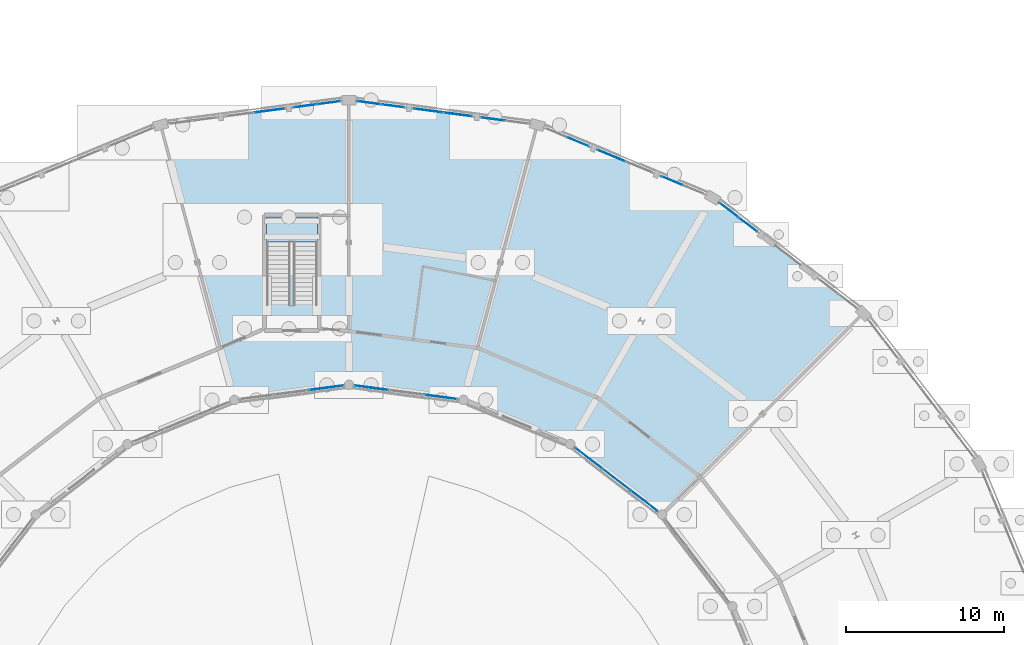
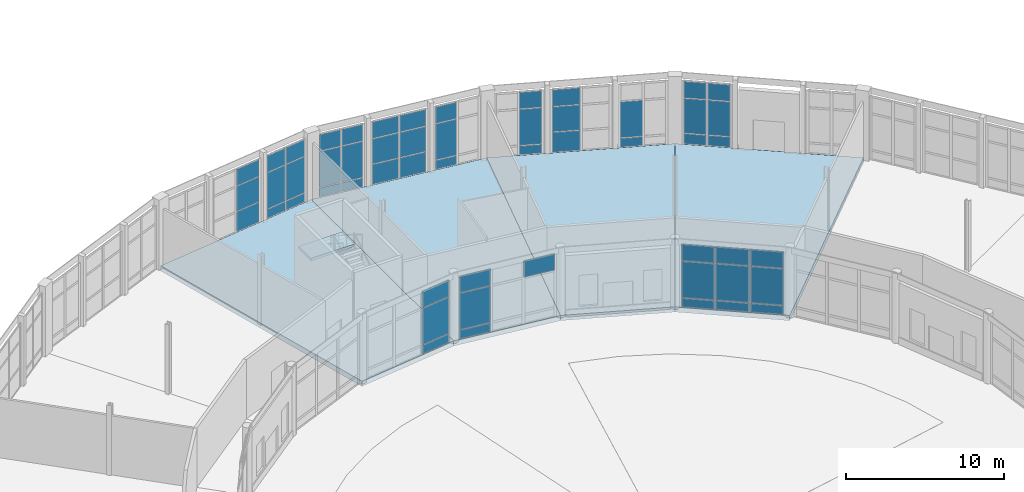
# One storey, part 91 of 137: 54 plates, 5 slabs, 13 elements without a shape of their own.
"""IFC4 building model written with IfcOpenShell, lengths in metres."""

from ifc_helpers import new_model, si_unit, direction, frame, origin, origin_2d, place, context, subcontext, project, spatial, polyline, rectangle, outline, extrude, material, layer, layer_set, type_object, element, aggregate, save


model = new_model("IFC4")

# Units and contexts
model_context = context("Model", 3, precision=1e-05, world=origin(), true_north=direction((0.0, 1.0)))
body_context = subcontext(model_context, "Body", "Model", "MODEL_VIEW")
ifc_project = project(units=[si_unit("LENGTHUNIT", "METRE"), si_unit("AREAUNIT", "SQUARE_METRE"), si_unit("VOLUMEUNIT", "CUBIC_METRE"), si_unit("PLANEANGLEUNIT", "RADIAN"), si_unit("MASSUNIT", "GRAM", prefix="KILO")], contexts=[model_context])

# Site, building, storey
site_placement = place(None, origin())
site = spatial("IfcSite", under=ifc_project, at=site_placement, CompositionType="ELEMENT")
building_placement = place(site_placement, origin())
building = spatial("IfcBuilding", under=site, at=building_placement, Name="Vondelvale Polytechnic", CompositionType="ELEMENT")
storey_placement = place(building_placement, origin())
storey = spatial("IfcBuildingStorey", under=building, at=storey_placement, Name="L00", CompositionType="ELEMENT", Elevation=0.0)

# Curtain wall, plates
ifc_material_1 = material(Name="Anodised extruded aluminium 6063-T6", Category="aluminium")
curtain_wall_type_1 = type_object("IfcCurtainWallType", Name="CW-RING-CLOISTER", PredefinedType="NOTDEFINED", material=ifc_material_1)
curtain_wall_1_placement = place(storey_placement, origin())
curtain_wall_1 = element("IfcCurtainWall", 1, at=curtain_wall_1_placement, inside=storey, type_object=curtain_wall_type_1, Name="L00 architectural curtain wall CW-03-097", PredefinedType="NOTDEFINED")
ifc_material_2 = material(Name="Double-glazed low-E insulated architectural glass", Category="glass")
ifc_layer_1 = layer(ifc_material_2, 0.028076171875)
ifc_layer_set_1 = layer_set([ifc_layer_1], Name="CW-PANEL-GLAZED")
plate_type_1 = type_object("IfcPlateType", Name="CW-PANEL-GLAZED", PredefinedType="CURTAIN_PANEL", material=ifc_layer_set_1)
plate_1_placement = place(storey_placement, frame((120.644775390625, 92.6845703125, 0.78271484375), z_axis=(0.0, 0.0, 1.0), x_axis=(-0.793363861089, 0.608747717793, 0.0)))
plate_1 = element("IfcPlate", 2, at=plate_1_placement, type_object=plate_type_1, Name="CW-03-097 panel 1.2", PredefinedType="CURTAIN_PANEL", context=body_context, shape_type="SweptSolid", body=[
    extrude(rectangle(XDim=2.1123046875, YDim=0.028076171875, at=origin_2d()), origin(), (0.0, 0.0, 1.0), 2.784912109375),
])
plate_2_placement = place(storey_placement, frame((120.644775390625, 92.6845703125, 3.632568359375), z_axis=(0.0, 0.0, 1.0), x_axis=(-0.793363861089, 0.608747717793, 0.0)))
plate_2 = element("IfcPlate", 3, at=plate_2_placement, type_object=plate_type_1, Name="CW-03-097 panel 1.3", PredefinedType="CURTAIN_PANEL", context=body_context, shape_type="SweptSolid", body=[
    extrude(rectangle(XDim=2.1123046875, YDim=0.028076171875, at=origin_2d()), origin(), (0.0, 0.0, 1.0), 1.25244140625),
])
plate_3_placement = place(storey_placement, frame((118.8994140625, 94.02392578125, 0.78271484375), z_axis=(0.0, 0.0, 1.0), x_axis=(-0.793363861089, 0.608747717793, 0.0)))
plate_3 = element("IfcPlate", 4, at=plate_3_placement, type_object=plate_type_1, Name="CW-03-097 panel 2.2", PredefinedType="CURTAIN_PANEL", context=body_context, shape_type="SweptSolid", body=[
    extrude(rectangle(XDim=2.1474609375, YDim=0.028076171875, at=origin_2d()), origin(), (0.0, 0.0, 1.0), 2.784912109375),
])
plate_4_placement = place(storey_placement, frame((118.8994140625, 94.02392578125, 3.632568359375), z_axis=(0.0, 0.0, 1.0), x_axis=(-0.793363861089, 0.608747717793, 0.0)))
plate_4 = element("IfcPlate", 5, at=plate_4_placement, type_object=plate_type_1, Name="CW-03-097 panel 2.3", PredefinedType="CURTAIN_PANEL", context=body_context, shape_type="SweptSolid", body=[
    extrude(rectangle(XDim=2.1474609375, YDim=0.028076171875, at=origin_2d()), origin(), (0.0, 0.0, 1.0), 1.25244140625),
])
plate_5_placement = place(storey_placement, frame((117.154296875, 95.363037109375, 0.78271484375), z_axis=(0.0, 0.0, 1.0), x_axis=(-0.793363861089, 0.608747717793, 0.0)))
plate_5 = element("IfcPlate", 6, at=plate_5_placement, type_object=plate_type_1, Name="CW-03-097 panel 3.2", PredefinedType="CURTAIN_PANEL", context=body_context, shape_type="SweptSolid", body=[
    extrude(rectangle(XDim=2.1123046875, YDim=0.028076171875, at=origin_2d()), origin(), (0.0, 0.0, 1.0), 2.784912109375),
])
plate_6_placement = place(storey_placement, frame((117.154296875, 95.363037109375, 3.632568359375), z_axis=(0.0, 0.0, 1.0), x_axis=(-0.793363861089, 0.608747717793, 0.0)))
plate_6 = element("IfcPlate", 7, at=plate_6_placement, type_object=plate_type_1, Name="CW-03-097 panel 3.3", PredefinedType="CURTAIN_PANEL", context=body_context, shape_type="SweptSolid", body=[
    extrude(rectangle(XDim=2.1123046875, YDim=0.028076171875, at=origin_2d()), origin(), (0.0, 0.0, 1.0), 1.25244140625),
])

ifc_material_3 = material(Name="Glulam GL18 structural Tasmanian oak (fb = 42 MPa)", Category="wood")
curtain_wall_type_2 = type_object("IfcCurtainWallType", Name="CW-RING-OUTER", PredefinedType="NOTDEFINED", material=ifc_material_3)
curtain_wall_2_placement = place(storey_placement, origin())
curtain_wall_2 = element("IfcCurtainWall", 8, at=curtain_wall_2_placement, inside=storey, type_object=curtain_wall_type_2, Name="L00 architectural curtain wall CW-04-099", PredefinedType="NOTDEFINED")
plate_7_placement = place(storey_placement, frame((127.2177734375, 110.13525390625, 0.8798828125), z_axis=(0.0, 0.0, 1.0), x_axis=(-0.793351666305, 0.608763610584, 0.0)))
plate_7 = element("IfcPlate", 9, at=plate_7_placement, type_object=plate_type_1, Name="CW-04-099 panel 1.2", PredefinedType="CURTAIN_PANEL", context=body_context, shape_type="SweptSolid", body=[
    extrude(rectangle(XDim=1.454345703125, YDim=0.028076171875, at=origin_2d()), origin(), (0.0, 0.0, 1.0), 2.659912109375),
])
plate_8_placement = place(storey_placement, frame((127.2177734375, 110.13525390625, 3.60009765625), z_axis=(0.0, 0.0, 1.0), x_axis=(-0.793351666305, 0.608763610584, 0.0)))
plate_8 = element("IfcPlate", 10, at=plate_8_placement, type_object=plate_type_1, Name="CW-04-099 panel 1.3", PredefinedType="CURTAIN_PANEL", context=body_context, shape_type="SweptSolid", body=[
    extrude(rectangle(XDim=1.454345703125, YDim=0.028076171875, at=origin_2d()), origin(), (0.0, 0.0, 1.0), 1.260009765625),
])
plate_9_placement = place(storey_placement, frame((126.012451171875, 111.060302734375, 0.8798828125), z_axis=(0.0, 0.0, 1.0), x_axis=(-0.793351666305, 0.608763610584, 0.0)))
plate_9 = element("IfcPlate", 11, at=plate_9_placement, type_object=plate_type_1, Name="CW-04-099 panel 2.2", PredefinedType="CURTAIN_PANEL", context=body_context, shape_type="SweptSolid", body=[
    extrude(rectangle(XDim=1.454345703125, YDim=0.028076171875, at=origin_2d()), origin(), (0.0, 0.0, 1.0), 2.659912109375),
])
plate_10_placement = place(storey_placement, frame((126.012451171875, 111.060302734375, 3.60009765625), z_axis=(0.0, 0.0, 1.0), x_axis=(-0.793351666305, 0.608763610584, 0.0)))
plate_10 = element("IfcPlate", 12, at=plate_10_placement, type_object=plate_type_1, Name="CW-04-099 panel 2.3", PredefinedType="CURTAIN_PANEL", context=body_context, shape_type="SweptSolid", body=[
    extrude(rectangle(XDim=1.454345703125, YDim=0.028076171875, at=origin_2d()), origin(), (0.0, 0.0, 1.0), 1.260009765625),
])

# Curtain wall, plate
curtain_wall_3_placement = place(storey_placement, origin())
curtain_wall_3 = element("IfcCurtainWall", 13, at=curtain_wall_3_placement, inside=storey, type_object=curtain_wall_type_2, Name="L00 architectural curtain wall CW-04-112", PredefinedType="NOTDEFINED")
plate_11_placement = place(storey_placement, frame((122.417236328125, 112.906982421875, 0.77978515625), z_axis=(0.0, 0.0, 1.0), x_axis=(-0.92388135159, 0.382679040691, 0.0)))
plate_11 = element("IfcPlate", 14, at=plate_11_placement, type_object=plate_type_1, Name="CW-04-112 panel 2.2", PredefinedType="CURTAIN_PANEL", context=body_context, shape_type="SweptSolid", body=[
    extrude(rectangle(XDim=1.454345703125, YDim=0.028076171875, at=origin_2d()), origin(), (0.0, 0.0, 1.0), 2.760009765625),
])

# Curtain wall, plates
curtain_wall_4_placement = place(storey_placement, origin())
curtain_wall_4 = element("IfcCurtainWall", 15, at=curtain_wall_4_placement, inside=storey, type_object=curtain_wall_type_2, Name="L00 architectural curtain wall CW-04-114", PredefinedType="NOTDEFINED")
plate_12_placement = place(storey_placement, frame((116.488525390625, 115.36279296875, 0.77978515625), z_axis=(0.0, 0.0, 1.0), x_axis=(-0.92388135159, 0.382679040691, 0.0)))
plate_12 = element("IfcPlate", 16, at=plate_12_placement, type_object=plate_type_1, Name="CW-04-114 panel 1.2", PredefinedType="CURTAIN_PANEL", context=body_context, shape_type="SweptSolid", body=[
    extrude(rectangle(XDim=1.454345703125, YDim=0.028076171875, at=origin_2d()), origin(), (0.0, 0.0, 1.0), 2.760009765625),
])
plate_13_placement = place(storey_placement, frame((116.488525390625, 115.36279296875, 3.60009765625), z_axis=(0.0, 0.0, 1.0), x_axis=(-0.92388135159, 0.382679040691, 0.0)))
plate_13 = element("IfcPlate", 17, at=plate_13_placement, type_object=plate_type_1, Name="CW-04-114 panel 1.3", PredefinedType="CURTAIN_PANEL", context=body_context, shape_type="SweptSolid", body=[
    extrude(rectangle(XDim=1.454345703125, YDim=0.028076171875, at=origin_2d()), origin(), (0.0, 0.0, 1.0), 1.260009765625),
])

curtain_wall_5_placement = place(storey_placement, origin())
curtain_wall_5 = element("IfcCurtainWall", 18, at=curtain_wall_5_placement, inside=storey, type_object=curtain_wall_type_1, Name="L00 architectural curtain wall CW-03-131", PredefinedType="NOTDEFINED")
plate_14_placement = place(storey_placement, frame((107.804443359375, 99.23583984375, 3.632568359375), z_axis=(0.0, 0.0, 1.0), x_axis=(-0.99144462243, 0.130528007165, 0.0)))
plate_14 = element("IfcPlate", 19, at=plate_14_placement, type_object=plate_type_1, Name="CW-03-131 panel 1.3", PredefinedType="CURTAIN_PANEL", context=body_context, shape_type="SweptSolid", body=[
    extrude(rectangle(XDim=2.1123046875, YDim=0.028076171875, at=origin_2d()), origin(), (0.0, 0.0, 1.0), 1.25244140625),
])
plate_15_placement = place(storey_placement, frame((103.4423828125, 99.81005859375, 0.78271484375), z_axis=(0.0, 0.0, 1.0), x_axis=(-0.99144462243, 0.130528007165, 0.0)))
plate_15 = element("IfcPlate", 20, at=plate_15_placement, type_object=plate_type_1, Name="CW-03-131 panel 3.2", PredefinedType="CURTAIN_PANEL", context=body_context, shape_type="SweptSolid", body=[
    extrude(rectangle(XDim=2.1123046875, YDim=0.028076171875, at=origin_2d()), origin(), (0.0, 0.0, 1.0), 2.784912109375),
])
plate_16_placement = place(storey_placement, frame((103.4423828125, 99.81005859375, 3.632568359375), z_axis=(0.0, 0.0, 1.0), x_axis=(-0.99144462243, 0.130528007165, 0.0)))
plate_16 = element("IfcPlate", 21, at=plate_16_placement, type_object=plate_type_1, Name="CW-03-131 panel 3.3", PredefinedType="CURTAIN_PANEL", context=body_context, shape_type="SweptSolid", body=[
    extrude(rectangle(XDim=2.1123046875, YDim=0.028076171875, at=origin_2d()), origin(), (0.0, 0.0, 1.0), 1.25244140625),
])

curtain_wall_6_placement = place(storey_placement, origin())
curtain_wall_6 = element("IfcCurtainWall", 22, at=curtain_wall_6_placement, inside=storey, type_object=curtain_wall_type_2, Name="L00 architectural curtain wall CW-04-132", PredefinedType="NOTDEFINED")
plate_17_placement = place(storey_placement, frame((111.134033203125, 116.797607421875, 0.77978515625), z_axis=(0.0, 0.0, 1.0), x_axis=(-0.991445190781, 0.130523690099, 0.0)))
plate_17 = element("IfcPlate", 23, at=plate_17_placement, type_object=plate_type_1, Name="CW-04-132 panel 2.2", PredefinedType="CURTAIN_PANEL", context=body_context, shape_type="SweptSolid", body=[
    extrude(rectangle(XDim=1.454345703125, YDim=0.028076171875, at=origin_2d()), origin(), (0.0, 0.0, 1.0), 2.760009765625),
])
plate_18_placement = place(storey_placement, frame((111.134033203125, 116.797607421875, 3.60009765625), z_axis=(0.0, 0.0, 1.0), x_axis=(-0.991445190781, 0.130523690099, 0.0)))
plate_18 = element("IfcPlate", 24, at=plate_18_placement, type_object=plate_type_1, Name="CW-04-132 panel 2.3", PredefinedType="CURTAIN_PANEL", context=body_context, shape_type="SweptSolid", body=[
    extrude(rectangle(XDim=1.454345703125, YDim=0.028076171875, at=origin_2d()), origin(), (0.0, 0.0, 1.0), 1.260009765625),
])

curtain_wall_7_placement = place(storey_placement, origin())
curtain_wall_7 = element("IfcCurtainWall", 25, at=curtain_wall_7_placement, inside=storey, type_object=curtain_wall_type_2, Name="L00 architectural curtain wall CW-04-133", PredefinedType="NOTDEFINED")
plate_19_placement = place(storey_placement, frame((108.8818359375, 117.093994140625, 1.6298828125), z_axis=(0.0, 0.0, 1.0), x_axis=(-0.991448671082, 0.130497251349, 0.0)))
plate_19 = element("IfcPlate", 26, at=plate_19_placement, type_object=plate_type_1, Name="CW-04-133 panel 1.2", PredefinedType="CURTAIN_PANEL", context=body_context, shape_type="SweptSolid", body=[
    extrude(rectangle(XDim=1.80908203125, YDim=0.028076171875, at=origin_2d()), origin(), (0.0, 0.0, 1.0), 1.909912109375),
])
plate_20_placement = place(storey_placement, frame((108.8818359375, 117.093994140625, 3.60009765625), z_axis=(0.0, 0.0, 1.0), x_axis=(-0.991448671082, 0.130497251349, 0.0)))
plate_20 = element("IfcPlate", 27, at=plate_20_placement, type_object=plate_type_1, Name="CW-04-133 panel 1.3", PredefinedType="CURTAIN_PANEL", context=body_context, shape_type="SweptSolid", body=[
    extrude(rectangle(XDim=1.80908203125, YDim=0.028076171875, at=origin_2d()), origin(), (0.0, 0.0, 1.0), 1.260009765625),
])
plate_21_placement = place(storey_placement, frame((107.02392578125, 117.338623046875, 1.6298828125), z_axis=(0.0, 0.0, 1.0), x_axis=(-0.991448671082, 0.130497251349, 0.0)))
plate_21 = element("IfcPlate", 28, at=plate_21_placement, type_object=plate_type_1, Name="CW-04-133 panel 2.2", PredefinedType="CURTAIN_PANEL", context=body_context, shape_type="SweptSolid", body=[
    extrude(rectangle(XDim=1.80908203125, YDim=0.028076171875, at=origin_2d()), origin(), (0.0, 0.0, 1.0), 1.909912109375),
])
plate_22_placement = place(storey_placement, frame((107.02392578125, 117.338623046875, 3.60009765625), z_axis=(0.0, 0.0, 1.0), x_axis=(-0.991448671082, 0.130497251349, 0.0)))
plate_22 = element("IfcPlate", 29, at=plate_22_placement, type_object=plate_type_1, Name="CW-04-133 panel 2.3", PredefinedType="CURTAIN_PANEL", context=body_context, shape_type="SweptSolid", body=[
    extrude(rectangle(XDim=1.80908203125, YDim=0.028076171875, at=origin_2d()), origin(), (0.0, 0.0, 1.0), 1.260009765625),
])

curtain_wall_8_placement = place(storey_placement, origin())
curtain_wall_8 = element("IfcCurtainWall", 30, at=curtain_wall_8_placement, inside=storey, type_object=curtain_wall_type_2, Name="L00 architectural curtain wall CW-04-134", PredefinedType="NOTDEFINED")
plate_23_placement = place(storey_placement, frame((104.771728515625, 117.635009765625, 0.77978515625), z_axis=(0.0, 0.0, 1.0), x_axis=(-0.991445190781, 0.130523690099, 0.0)))
plate_23 = element("IfcPlate", 31, at=plate_23_placement, type_object=plate_type_1, Name="CW-04-134 panel 1.2", PredefinedType="CURTAIN_PANEL", context=body_context, shape_type="SweptSolid", body=[
    extrude(rectangle(XDim=1.454345703125, YDim=0.028076171875, at=origin_2d()), origin(), (0.0, 0.0, 1.0), 2.760009765625),
])
plate_24_placement = place(storey_placement, frame((104.771728515625, 117.635009765625, 3.60009765625), z_axis=(0.0, 0.0, 1.0), x_axis=(-0.991445190781, 0.130523690099, 0.0)))
plate_24 = element("IfcPlate", 32, at=plate_24_placement, type_object=plate_type_1, Name="CW-04-134 panel 1.3", PredefinedType="CURTAIN_PANEL", context=body_context, shape_type="SweptSolid", body=[
    extrude(rectangle(XDim=1.454345703125, YDim=0.028076171875, at=origin_2d()), origin(), (0.0, 0.0, 1.0), 1.260009765625),
])
plate_25_placement = place(storey_placement, frame((103.265380859375, 117.83349609375, 0.77978515625), z_axis=(0.0, 0.0, 1.0), x_axis=(-0.991445190781, 0.130523690099, 0.0)))
plate_25 = element("IfcPlate", 33, at=plate_25_placement, type_object=plate_type_1, Name="CW-04-134 panel 2.2", PredefinedType="CURTAIN_PANEL", context=body_context, shape_type="SweptSolid", body=[
    extrude(rectangle(XDim=1.454345703125, YDim=0.028076171875, at=origin_2d()), origin(), (0.0, 0.0, 1.0), 2.760009765625),
])
plate_26_placement = place(storey_placement, frame((103.265380859375, 117.83349609375, 3.60009765625), z_axis=(0.0, 0.0, 1.0), x_axis=(-0.991445190781, 0.130523690099, 0.0)))
plate_26 = element("IfcPlate", 34, at=plate_26_placement, type_object=plate_type_1, Name="CW-04-134 panel 2.3", PredefinedType="CURTAIN_PANEL", context=body_context, shape_type="SweptSolid", body=[
    extrude(rectangle(XDim=1.454345703125, YDim=0.028076171875, at=origin_2d()), origin(), (0.0, 0.0, 1.0), 1.260009765625),
])

curtain_wall_9_placement = place(storey_placement, origin())
curtain_wall_9 = element("IfcCurtainWall", 35, at=curtain_wall_9_placement, inside=storey, type_object=curtain_wall_type_1, Name="L00 architectural curtain wall CW-03-151", PredefinedType="NOTDEFINED")
plate_27_placement = place(storey_placement, frame((100.5576171875, 99.81005859375, 0.78271484375), z_axis=(0.0, 0.0, 1.0), x_axis=(-0.99144462243, -0.130528007165, 0.0)))
plate_27 = element("IfcPlate", 36, at=plate_27_placement, type_object=plate_type_1, Name="CW-03-151 panel 1.2", PredefinedType="CURTAIN_PANEL", context=body_context, shape_type="SweptSolid", body=[
    extrude(rectangle(XDim=2.1123046875, YDim=0.028076171875, at=origin_2d()), origin(), (0.0, 0.0, 1.0), 2.784912109375),
])
plate_28_placement = place(storey_placement, frame((100.5576171875, 99.81005859375, 3.632568359375), z_axis=(0.0, 0.0, 1.0), x_axis=(-0.99144462243, -0.130528007165, 0.0)))
plate_28 = element("IfcPlate", 37, at=plate_28_placement, type_object=plate_type_1, Name="CW-03-151 panel 1.3", PredefinedType="CURTAIN_PANEL", context=body_context, shape_type="SweptSolid", body=[
    extrude(rectangle(XDim=2.1123046875, YDim=0.028076171875, at=origin_2d()), origin(), (0.0, 0.0, 1.0), 1.25244140625),
])

curtain_wall_10_placement = place(storey_placement, origin())
curtain_wall_10 = element("IfcCurtainWall", 38, at=curtain_wall_10_placement, inside=storey, type_object=curtain_wall_type_2, Name="L00 architectural curtain wall CW-04-152", PredefinedType="NOTDEFINED")
plate_29_placement = place(storey_placement, frame((100.734619140625, 117.83349609375, 0.77978515625), z_axis=(0.0, 0.0, 1.0), x_axis=(-0.991445190781, -0.130523690099, 0.0)))
plate_29 = element("IfcPlate", 39, at=plate_29_placement, type_object=plate_type_1, Name="CW-04-152 panel 1.2", PredefinedType="CURTAIN_PANEL", context=body_context, shape_type="SweptSolid", body=[
    extrude(rectangle(XDim=1.454345703125, YDim=0.028076171875, at=origin_2d()), origin(), (0.0, 0.0, 1.0), 2.760009765625),
])
plate_30_placement = place(storey_placement, frame((100.734619140625, 117.83349609375, 3.60009765625), z_axis=(0.0, 0.0, 1.0), x_axis=(-0.991445190781, -0.130523690099, 0.0)))
plate_30 = element("IfcPlate", 40, at=plate_30_placement, type_object=plate_type_1, Name="CW-04-152 panel 1.3", PredefinedType="CURTAIN_PANEL", context=body_context, shape_type="SweptSolid", body=[
    extrude(rectangle(XDim=1.454345703125, YDim=0.028076171875, at=origin_2d()), origin(), (0.0, 0.0, 1.0), 1.260009765625),
])
plate_31_placement = place(storey_placement, frame((99.228271484375, 117.635009765625, 0.77978515625), z_axis=(0.0, 0.0, 1.0), x_axis=(-0.991445190781, -0.130523690099, 0.0)))
plate_31 = element("IfcPlate", 41, at=plate_31_placement, type_object=plate_type_1, Name="CW-04-152 panel 2.2", PredefinedType="CURTAIN_PANEL", context=body_context, shape_type="SweptSolid", body=[
    extrude(rectangle(XDim=1.454345703125, YDim=0.028076171875, at=origin_2d()), origin(), (0.0, 0.0, 1.0), 2.760009765625),
])
plate_32_placement = place(storey_placement, frame((99.228271484375, 117.635009765625, 3.60009765625), z_axis=(0.0, 0.0, 1.0), x_axis=(-0.991445190781, -0.130523690099, 0.0)))
plate_32 = element("IfcPlate", 42, at=plate_32_placement, type_object=plate_type_1, Name="CW-04-152 panel 2.3", PredefinedType="CURTAIN_PANEL", context=body_context, shape_type="SweptSolid", body=[
    extrude(rectangle(XDim=1.454345703125, YDim=0.028076171875, at=origin_2d()), origin(), (0.0, 0.0, 1.0), 1.260009765625),
])

# Plate
ifc_material_4 = material(Name="Engineered Tasmanian oak studio and bridge joinery")
ifc_layer_2 = layer(ifc_material_4, 0.0419921875)
ifc_layer_set_2 = layer_set([ifc_layer_2], Name="CW-PANEL-OAK")
plate_type_2 = type_object("IfcPlateType", Name="CW-PANEL-OAK", PredefinedType="CURTAIN_PANEL", material=ifc_layer_set_2)
plate_33_placement = place(storey_placement, frame((120.644775390625, 92.6845703125, 0.06494140625), z_axis=(0.0, 0.0, 1.0), x_axis=(-0.793363861089, 0.608747717793, 0.0)))
plate_33 = element("IfcPlate", 43, at=plate_33_placement, type_object=plate_type_2, Name="CW-03-097 panel 1.1", PredefinedType="CURTAIN_PANEL", context=body_context, shape_type="SweptSolid", body=[
    extrude(rectangle(XDim=2.1123046875, YDim=0.0419921875, at=origin_2d()), origin(), (0.0, 0.0, 1.0), 0.652587890625),
])

plate_34_placement = place(storey_placement, frame((118.8994140625, 94.02392578125, 0.06494140625), z_axis=(0.0, 0.0, 1.0), x_axis=(-0.793363861089, 0.608747717793, 0.0)))
plate_34 = element("IfcPlate", 44, at=plate_34_placement, type_object=plate_type_2, Name="CW-03-097 panel 2.1", PredefinedType="CURTAIN_PANEL", context=body_context, shape_type="SweptSolid", body=[
    extrude(rectangle(XDim=2.1474609375, YDim=0.0419921875, at=origin_2d()), origin(), (0.0, 0.0, 1.0), 0.652587890625),
])

plate_35_placement = place(storey_placement, frame((117.154296875, 95.363037109375, 0.06494140625), z_axis=(0.0, 0.0, 1.0), x_axis=(-0.793363861089, 0.608747717793, 0.0)))
plate_35 = element("IfcPlate", 45, at=plate_35_placement, type_object=plate_type_2, Name="CW-03-097 panel 3.1", PredefinedType="CURTAIN_PANEL", context=body_context, shape_type="SweptSolid", body=[
    extrude(rectangle(XDim=2.1123046875, YDim=0.0419921875, at=origin_2d()), origin(), (0.0, 0.0, 1.0), 0.652587890625),
])

aggregate(curtain_wall_1, [plate_33, plate_1, plate_2, plate_34, plate_3, plate_4, plate_35, plate_5, plate_6])

plate_36_placement = place(storey_placement, frame((127.2177734375, 110.13525390625, 0.06005859375), z_axis=(0.0, 0.0, 1.0), x_axis=(-0.793351666305, 0.608763610584, 0.0)))
plate_36 = element("IfcPlate", 46, at=plate_36_placement, type_object=plate_type_2, Name="CW-04-099 panel 1.1", PredefinedType="CURTAIN_PANEL", context=body_context, shape_type="SweptSolid", body=[
    extrude(rectangle(XDim=1.454345703125, YDim=0.0419921875, at=origin_2d()), origin(), (0.0, 0.0, 1.0), 0.760009765625),
])

plate_37_placement = place(storey_placement, frame((126.012451171875, 111.060302734375, 0.06005859375), z_axis=(0.0, 0.0, 1.0), x_axis=(-0.793351666305, 0.608763610584, 0.0)))
plate_37 = element("IfcPlate", 47, at=plate_37_placement, type_object=plate_type_2, Name="CW-04-099 panel 2.1", PredefinedType="CURTAIN_PANEL", context=body_context, shape_type="SweptSolid", body=[
    extrude(rectangle(XDim=1.454345703125, YDim=0.0419921875, at=origin_2d()), origin(), (0.0, 0.0, 1.0), 0.760009765625),
])

aggregate(curtain_wall_2, [plate_36, plate_7, plate_8, plate_37, plate_9, plate_10])

# Curtain wall, plates
curtain_wall_11_placement = place(storey_placement, origin())
curtain_wall_11 = element("IfcCurtainWall", 48, at=curtain_wall_11_placement, inside=storey, type_object=curtain_wall_type_2, Name="L00 architectural curtain wall CW-04-113", PredefinedType="NOTDEFINED")
plate_38_placement = place(storey_placement, frame((118.587158203125, 114.493408203125, 0.06005859375), z_axis=(0.0, 0.0, 1.0), x_axis=(-0.92387490701, 0.382694599123, 0.0)))
plate_38 = element("IfcPlate", 49, at=plate_38_placement, type_object=plate_type_2, Name="CW-04-113 panel 2.1", PredefinedType="CURTAIN_PANEL", context=body_context, shape_type="SweptSolid", body=[
    extrude(rectangle(XDim=1.80908203125, YDim=0.0419921875, at=origin_2d()), origin(), (0.0, 0.0, 1.0), 1.510009765625),
])
plate_39_placement = place(storey_placement, frame((118.587158203125, 114.493408203125, 1.6298828125), z_axis=(0.0, 0.0, 1.0), x_axis=(-0.92387490701, 0.382694599123, 0.0)))
plate_39 = element("IfcPlate", 50, at=plate_39_placement, type_object=plate_type_2, Name="CW-04-113 panel 2.2", PredefinedType="CURTAIN_PANEL", context=body_context, shape_type="SweptSolid", body=[
    extrude(rectangle(XDim=1.80908203125, YDim=0.0419921875, at=origin_2d()), origin(), (0.0, 0.0, 1.0), 1.909912109375),
])
plate_40_placement = place(storey_placement, frame((118.587158203125, 114.493408203125, 3.60009765625), z_axis=(0.0, 0.0, 1.0), x_axis=(-0.92387490701, 0.382694599123, 0.0)))
plate_40 = element("IfcPlate", 51, at=plate_40_placement, type_object=plate_type_2, Name="CW-04-113 panel 2.3", PredefinedType="CURTAIN_PANEL", context=body_context, shape_type="SweptSolid", body=[
    extrude(rectangle(XDim=1.80908203125, YDim=0.0419921875, at=origin_2d()), origin(), (0.0, 0.0, 1.0), 1.260009765625),
])
aggregate(curtain_wall_11, [plate_38, plate_39, plate_40])

# Plate
plate_41_placement = place(storey_placement, frame((103.4423828125, 99.81005859375, 0.06494140625), z_axis=(0.0, 0.0, 1.0), x_axis=(-0.99144462243, 0.130528007165, 0.0)))
plate_41 = element("IfcPlate", 52, at=plate_41_placement, type_object=plate_type_2, Name="CW-03-131 panel 3.1", PredefinedType="CURTAIN_PANEL", context=body_context, shape_type="SweptSolid", body=[
    extrude(rectangle(XDim=2.1123046875, YDim=0.0419921875, at=origin_2d()), origin(), (0.0, 0.0, 1.0), 0.652587890625),
])

aggregate(curtain_wall_5, [plate_14, plate_41, plate_15, plate_16])

plate_42_placement = place(storey_placement, frame((108.8818359375, 117.093994140625, 0.06005859375), z_axis=(0.0, 0.0, 1.0), x_axis=(-0.991448671082, 0.130497251349, 0.0)))
plate_42 = element("IfcPlate", 53, at=plate_42_placement, type_object=plate_type_2, Name="CW-04-133 panel 1.1", PredefinedType="CURTAIN_PANEL", context=body_context, shape_type="SweptSolid", body=[
    extrude(rectangle(XDim=1.80908203125, YDim=0.0419921875, at=origin_2d()), origin(), (0.0, 0.0, 1.0), 1.510009765625),
])

plate_43_placement = place(storey_placement, frame((107.02392578125, 117.338623046875, 0.06005859375), z_axis=(0.0, 0.0, 1.0), x_axis=(-0.991448671082, 0.130497251349, 0.0)))
plate_43 = element("IfcPlate", 54, at=plate_43_placement, type_object=plate_type_2, Name="CW-04-133 panel 2.1", PredefinedType="CURTAIN_PANEL", context=body_context, shape_type="SweptSolid", body=[
    extrude(rectangle(XDim=1.80908203125, YDim=0.0419921875, at=origin_2d()), origin(), (0.0, 0.0, 1.0), 1.510009765625),
])

aggregate(curtain_wall_7, [plate_42, plate_19, plate_20, plate_43, plate_21, plate_22])

plate_44_placement = place(storey_placement, frame((100.5576171875, 99.81005859375, 0.06494140625), z_axis=(0.0, 0.0, 1.0), x_axis=(-0.99144462243, -0.130528007165, 0.0)))
plate_44 = element("IfcPlate", 55, at=plate_44_placement, type_object=plate_type_2, Name="CW-03-151 panel 1.1", PredefinedType="CURTAIN_PANEL", context=body_context, shape_type="SweptSolid", body=[
    extrude(rectangle(XDim=2.1123046875, YDim=0.0419921875, at=origin_2d()), origin(), (0.0, 0.0, 1.0), 0.652587890625),
])

aggregate(curtain_wall_9, [plate_44, plate_27, plate_28])

# Curtain wall, plates
curtain_wall_12_placement = place(storey_placement, origin())
curtain_wall_12 = element("IfcCurtainWall", 56, at=curtain_wall_12_placement, inside=storey, type_object=curtain_wall_type_2, Name="L00 architectural curtain wall CW-04-153", PredefinedType="NOTDEFINED")
plate_45_placement = place(storey_placement, frame((96.97607421875, 117.338623046875, 0.06005859375), z_axis=(0.0, 0.0, 1.0), x_axis=(-0.991448671082, -0.130497251349, 0.0)))
plate_45 = element("IfcPlate", 57, at=plate_45_placement, type_object=plate_type_2, Name="CW-04-153 panel 1.1", PredefinedType="CURTAIN_PANEL", context=body_context, shape_type="SweptSolid", body=[
    extrude(rectangle(XDim=1.80908203125, YDim=0.0419921875, at=origin_2d()), origin(), (0.0, 0.0, 1.0), 1.510009765625),
])
plate_46_placement = place(storey_placement, frame((96.97607421875, 117.338623046875, 1.6298828125), z_axis=(0.0, 0.0, 1.0), x_axis=(-0.991448671082, -0.130497251349, 0.0)))
plate_46 = element("IfcPlate", 58, at=plate_46_placement, type_object=plate_type_2, Name="CW-04-153 panel 1.2", PredefinedType="CURTAIN_PANEL", context=body_context, shape_type="SweptSolid", body=[
    extrude(rectangle(XDim=1.80908203125, YDim=0.0419921875, at=origin_2d()), origin(), (0.0, 0.0, 1.0), 1.909912109375),
])
plate_47_placement = place(storey_placement, frame((96.97607421875, 117.338623046875, 3.60009765625), z_axis=(0.0, 0.0, 1.0), x_axis=(-0.991448671082, -0.130497251349, 0.0)))
plate_47 = element("IfcPlate", 59, at=plate_47_placement, type_object=plate_type_2, Name="CW-04-153 panel 1.3", PredefinedType="CURTAIN_PANEL", context=body_context, shape_type="SweptSolid", body=[
    extrude(rectangle(XDim=1.80908203125, YDim=0.0419921875, at=origin_2d()), origin(), (0.0, 0.0, 1.0), 1.260009765625),
])
aggregate(curtain_wall_12, [plate_45, plate_46, plate_47])

# Plate
ifc_material_5 = material(Name="Kiln-fired architectural terracotta", Category="masonry")
ifc_layer_3 = layer(ifc_material_5, 0.035888671875)
ifc_layer_set_3 = layer_set([ifc_layer_3], Name="CW-PANEL-SPANDREL")
plate_type_3 = type_object("IfcPlateType", Name="CW-PANEL-SPANDREL", PredefinedType="CURTAIN_PANEL", material=ifc_layer_set_3)
plate_48_placement = place(storey_placement, frame((122.417236328125, 112.906982421875, 0.06005859375), z_axis=(0.0, 0.0, 1.0), x_axis=(-0.92388135159, 0.382679040691, 0.0)))
plate_48 = element("IfcPlate", 60, at=plate_48_placement, type_object=plate_type_3, Name="CW-04-112 panel 2.1", PredefinedType="CURTAIN_PANEL", context=body_context, shape_type="SweptSolid", body=[
    extrude(rectangle(XDim=1.454345703125, YDim=0.035888671875, at=origin_2d()), origin(), (0.0, 0.0, 1.0), 0.659912109375),
])

aggregate(curtain_wall_3, [plate_48, plate_11])

plate_49_placement = place(storey_placement, frame((116.488525390625, 115.36279296875, 0.06005859375), z_axis=(0.0, 0.0, 1.0), x_axis=(-0.92388135159, 0.382679040691, 0.0)))
plate_49 = element("IfcPlate", 61, at=plate_49_placement, type_object=plate_type_3, Name="CW-04-114 panel 1.1", PredefinedType="CURTAIN_PANEL", context=body_context, shape_type="SweptSolid", body=[
    extrude(rectangle(XDim=1.454345703125, YDim=0.035888671875, at=origin_2d()), origin(), (0.0, 0.0, 1.0), 0.659912109375),
])

aggregate(curtain_wall_4, [plate_49, plate_12, plate_13])

plate_50_placement = place(storey_placement, frame((111.134033203125, 116.797607421875, 0.06005859375), z_axis=(0.0, 0.0, 1.0), x_axis=(-0.991445190781, 0.130523690099, 0.0)))
plate_50 = element("IfcPlate", 62, at=plate_50_placement, type_object=plate_type_3, Name="CW-04-132 panel 2.1", PredefinedType="CURTAIN_PANEL", context=body_context, shape_type="SweptSolid", body=[
    extrude(rectangle(XDim=1.454345703125, YDim=0.035888671875, at=origin_2d()), origin(), (0.0, 0.0, 1.0), 0.659912109375),
])

aggregate(curtain_wall_6, [plate_50, plate_17, plate_18])

plate_51_placement = place(storey_placement, frame((104.771728515625, 117.635009765625, 0.06005859375), z_axis=(0.0, 0.0, 1.0), x_axis=(-0.991445190781, 0.130523690099, 0.0)))
plate_51 = element("IfcPlate", 63, at=plate_51_placement, type_object=plate_type_3, Name="CW-04-134 panel 1.1", PredefinedType="CURTAIN_PANEL", context=body_context, shape_type="SweptSolid", body=[
    extrude(rectangle(XDim=1.454345703125, YDim=0.035888671875, at=origin_2d()), origin(), (0.0, 0.0, 1.0), 0.659912109375),
])

plate_52_placement = place(storey_placement, frame((103.265380859375, 117.83349609375, 0.06005859375), z_axis=(0.0, 0.0, 1.0), x_axis=(-0.991445190781, 0.130523690099, 0.0)))
plate_52 = element("IfcPlate", 64, at=plate_52_placement, type_object=plate_type_3, Name="CW-04-134 panel 2.1", PredefinedType="CURTAIN_PANEL", context=body_context, shape_type="SweptSolid", body=[
    extrude(rectangle(XDim=1.454345703125, YDim=0.035888671875, at=origin_2d()), origin(), (0.0, 0.0, 1.0), 0.659912109375),
])

aggregate(curtain_wall_8, [plate_51, plate_23, plate_24, plate_52, plate_25, plate_26])

plate_53_placement = place(storey_placement, frame((100.734619140625, 117.83349609375, 0.06005859375), z_axis=(0.0, 0.0, 1.0), x_axis=(-0.991445190781, -0.130523690099, 0.0)))
plate_53 = element("IfcPlate", 65, at=plate_53_placement, type_object=plate_type_3, Name="CW-04-152 panel 1.1", PredefinedType="CURTAIN_PANEL", context=body_context, shape_type="SweptSolid", body=[
    extrude(rectangle(XDim=1.454345703125, YDim=0.035888671875, at=origin_2d()), origin(), (0.0, 0.0, 1.0), 0.659912109375),
])

plate_54_placement = place(storey_placement, frame((99.228271484375, 117.635009765625, 0.06005859375), z_axis=(0.0, 0.0, 1.0), x_axis=(-0.991445190781, -0.130523690099, 0.0)))
plate_54 = element("IfcPlate", 66, at=plate_54_placement, type_object=plate_type_3, Name="CW-04-152 panel 2.1", PredefinedType="CURTAIN_PANEL", context=body_context, shape_type="SweptSolid", body=[
    extrude(rectangle(XDim=1.454345703125, YDim=0.035888671875, at=origin_2d()), origin(), (0.0, 0.0, 1.0), 0.659912109375),
])

aggregate(curtain_wall_10, [plate_53, plate_29, plate_30, plate_54, plate_31, plate_32])

# Slabs
ifc_material_6 = material(Name="Concrete N40 (f'c = 40 MPa)", Category="concrete")
ifc_layer_4 = layer(ifc_material_6, 0.39990234375)
ifc_layer_set_4 = layer_set([ifc_layer_4], Name="SLB-BASE-400")
slab_type_1 = type_object("IfcSlabType", Name="SLB-BASE-400", PredefinedType="BASESLAB", material=ifc_layer_set_4)
slab_1_placement = place(storey_placement, frame((0.0, 0.0, -0.39990234375)))
element("IfcSlab", 67, at=slab_1_placement, inside=storey, type_object=slab_type_1, Name="L00 circular ring sector 03 floor slab", PredefinedType="BASESLAB", context=body_context, shape_type="SweptSolid", body=[
    extrude(outline(polyline([(121.799072265625, 91.799072265625), (134.52685546875, 104.52685546875), (125.0, 111.837158203125), (116.0, 96.248779296875), (121.799072265625, 91.799072265625)])), origin(), (0.0, 0.0, 1.0), 0.39990234375),
])
slab_2_placement = place(storey_placement, frame((0.0, 0.0, -0.39990234375)))
element("IfcSlab", 68, at=slab_2_placement, inside=storey, type_object=slab_type_1, Name="L00 circular ring sector 04 floor slab", PredefinedType="BASESLAB", context=body_context, shape_type="SweptSolid", body=[
    extrude(outline(polyline([(116.0, 96.248779296875), (125.0, 111.837158203125), (113.90576171875, 116.4326171875), (109.246826171875, 99.0458984375), (116.0, 96.248779296875)])), origin(), (0.0, 0.0, 1.0), 0.39990234375),
])
slab_3_placement = place(storey_placement, frame((0.0, 0.0, -0.39990234375)))
element("IfcSlab", 69, at=slab_3_placement, inside=storey, type_object=slab_type_1, Name="L00 circular ring sector 05 floor slab", PredefinedType="BASESLAB", context=body_context, shape_type="SweptSolid", body=[
    extrude(outline(polyline([(109.246826171875, 99.0458984375), (113.90576171875, 116.4326171875), (102.0, 118.0), (102.0, 100.0), (109.246826171875, 99.0458984375)])), origin(), (0.0, 0.0, 1.0), 0.39990234375),
])
slab_4_placement = place(storey_placement, frame((0.0, 0.0, -0.39990234375)))
element("IfcSlab", 70, at=slab_4_placement, inside=storey, type_object=slab_type_1, Name="L00 circular ring sector 06 floor slab", PredefinedType="BASESLAB", context=body_context, shape_type="SweptSolid", body=[
    extrude(outline(polyline([(102.0, 100.0), (102.0, 118.0), (90.09423828125, 116.4326171875), (94.753173828125, 99.0458984375), (102.0, 100.0)])), origin(), (0.0, 0.0, 1.0), 0.39990234375),
])

# Stair, slab
stair_type = type_object("IfcStairType", Name="STR-DOG-1500", PredefinedType="HALF_TURN_STAIR", material=ifc_material_6)
stair_placement = place(storey_placement, origin())
stair = element("IfcStair", 71, at=stair_placement, inside=storey, type_object=stair_type, Name="L00 ST-09", PredefinedType="HALF_TURN_STAIR")
ifc_layer_5 = layer(ifc_material_6, 0.199951171875)
ifc_layer_set_5 = layer_set([ifc_layer_5], Name="SLB-LANDING-200")
slab_type_2 = type_object("IfcSlabType", Name="SLB-LANDING-200", PredefinedType="LANDING", material=ifc_layer_set_5)
slab_5_placement = place(storey_placement, frame((0.0, 0.0, 2.5)))
slab_5 = element("IfcSlab", 72, at=slab_5_placement, type_object=slab_type_2, Name="ST-09 landing 1", PredefinedType="LANDING", context=body_context, shape_type="SweptSolid", body=[
    extrude(outline(polyline([(100.0, 109.0400390625), (100.0, 110.60009765625), (96.800048828125, 110.60009765625), (96.800048828125, 109.0400390625), (100.0, 109.0400390625)])), origin(), (0.0, 0.0, 1.0), 0.199951171875),
])
aggregate(stair, [slab_5])

save(model, "model.ifc")
